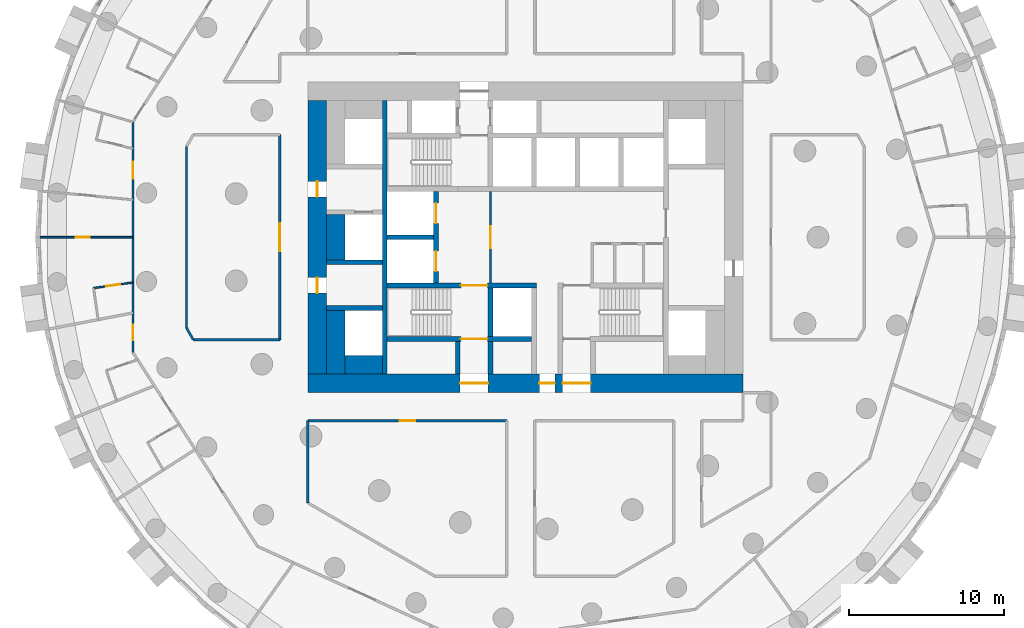
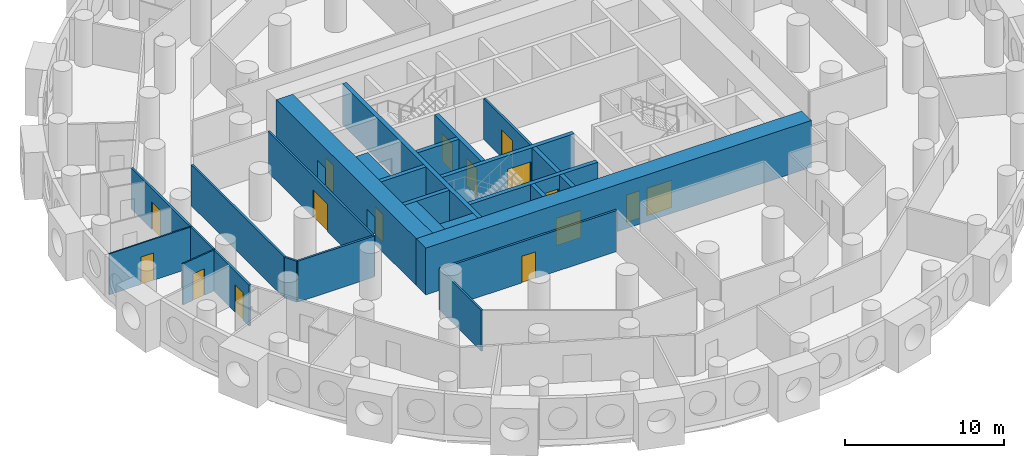
# One storey, part 4 of 12: 25 walls, 16 doors, 16 openings.
"""IFC4 building model written with IfcOpenShell, lengths in metres."""

import ifcopenshell
import ifcopenshell.guid

model = None  # the IFC model being written
_history = None  # IfcOwnerHistory: only IFC2X3 demands one
_inside = {}  # id of a spatial element -> (the spatial element, [elements in it])
_under = {}  # id of a project, library or spatial element -> (it, [spatial elements below it])
_declared = {}  # id of a project -> (the project, [libraries it declares])
_typed = {}  # id of a type object -> (the type object, [elements of that type])
_made_of = {}  # id of a material, layer set ... -> (it, [elements and type objects made of it])


def new_model(schema):
    """Start an empty IFC model of exactly this schema.

    Asked for "IFC4X3", IfcOpenShell would pick the latest addendum, in which some entities
    have other attributes; the version numbers below select the first issue.
    IFC2X3 requires an IfcOwnerHistory on every rooted entity: one is made here for all.
    """
    global model, _history
    if schema == "IFC4X3":
        model = ifcopenshell.file(schema_version=(4, 3, 0, 0))
    else:
        model = ifcopenshell.file(schema=schema)
    _inside.clear()
    _under.clear()
    _declared.clear()
    _typed.clear()
    _made_of.clear()
    _history = None
    if model.schema == "IFC2X3":
        org = make("IfcOrganization", Name="unknown")
        user = make(
            "IfcPersonAndOrganization",
            ThePerson=make("IfcPerson", FamilyName="unknown"),
            TheOrganization=org,
        )
        app = make(
            "IfcApplication",
            ApplicationDeveloper=org,
            Version="unknown",
            ApplicationFullName="unknown",
            ApplicationIdentifier="unknown",
        )
        _history = make(
            "IfcOwnerHistory",
            OwningUser=user,
            OwningApplication=app,
            ChangeAction="ADDED",
            CreationDate=0,
        )
    return model


def make(cls, **values):
    """One entity of the class cls with the attributes given. An attribute that is None is left unset."""
    return model.create_entity(
        cls, **{name: value for name, value in values.items() if value is not None}
    )


def rooted(cls, **values):
    """An entity with a GlobalId (a new one), such as an element, a storey or a relation."""
    return make(cls, GlobalId=ifcopenshell.guid.new(), OwnerHistory=_history, **values)


def si_unit(unit_type, name, prefix=None):
    """IfcSIUnit, for example si_unit("LENGTHUNIT", "METRE", prefix="MILLI")."""
    return make("IfcSIUnit", UnitType=unit_type, Prefix=prefix, Name=name)


def assignment(units):
    """IfcUnitAssignment: the units of a project."""
    return None if units is None else make("IfcUnitAssignment", Units=units)


def point(xyz):
    """IfcCartesianPoint."""
    return None if xyz is None else make("IfcCartesianPoint", Coordinates=xyz)


def direction(xyz):
    """IfcDirection."""
    return None if xyz is None else make("IfcDirection", DirectionRatios=xyz)


def frame(location, z_axis=None, x_axis=None):
    """IfcAxis2Placement3D, a coordinate frame: its origin and axes. An axis left out is left unset."""
    return make(
        "IfcAxis2Placement3D",
        Location=point(location),
        Axis=direction(z_axis),
        RefDirection=direction(x_axis),
    )


def frame_2d(location, x_axis=None):
    """IfcAxis2Placement2D, a coordinate frame in the plane: its origin and x axis."""
    return make(
        "IfcAxis2Placement2D", Location=point(location), RefDirection=direction(x_axis)
    )


def origin():
    """The frame at (0, 0, 0) with its axes left unset."""
    return frame((0.0, 0.0, 0.0))


def place(relative_to, where):
    """IfcLocalPlacement: puts the frame where relative to a parent placement (None: the world)."""
    return make(
        "IfcLocalPlacement", PlacementRelTo=relative_to, RelativePlacement=where
    )


def context(
    kind, dimensions, precision=None, world=None, true_north=None, identifier=None
):
    """IfcGeometricRepresentationContext, for example the 3D "Model" context."""
    return make(
        "IfcGeometricRepresentationContext",
        ContextIdentifier=identifier,
        ContextType=kind,
        CoordinateSpaceDimension=dimensions,
        Precision=precision,
        WorldCoordinateSystem=world,
        TrueNorth=true_north,
    )


def subcontext(parent, identifier, kind, view, scale=None):
    """IfcGeometricRepresentationSubContext, for example "Body" below "Model"."""
    return make(
        "IfcGeometricRepresentationSubContext",
        ContextIdentifier=identifier,
        ContextType=kind,
        ParentContext=parent,
        TargetScale=scale,
        TargetView=view,
    )


def project(units=None, contexts=None):
    """IfcProject with its units and contexts."""
    return rooted(
        "IfcProject",
        Name="project",
        RepresentationContexts=contexts,
        UnitsInContext=assignment(units),
    )


def spatial(cls, under=None, at=None, **own):
    """A site, building, storey or space (cls), placed at a placement, below another one or the project."""
    s = rooted(cls, ObjectPlacement=at, **own)
    if under is not None:
        _under.setdefault(under.id(), (under, []))[1].append(s)
    return s


def profile(cls, at=None, kind="AREA", **sizes):
    """A parametric profile (cls). Its sizes go by their IFC names, for example OverallWidth=200.0."""
    return make(cls, ProfileType=kind, Position=at, **sizes)


def rectangle(**sizes):
    """IfcRectangleProfileDef."""
    return profile("IfcRectangleProfileDef", **sizes)


def extrude(swept, where, along, depth):
    """IfcExtrudedAreaSolid: the profile swept, set in the frame where, extruded along a direction by depth."""
    return make(
        "IfcExtrudedAreaSolid",
        SweptArea=swept,
        Position=where,
        ExtrudedDirection=direction(along),
        Depth=depth,
    )


def shape(context_of_items, identifier, shape_type, items):
    """IfcShapeRepresentation: the items that make up one representation, for example the "Body"."""
    return make(
        "IfcShapeRepresentation",
        ContextOfItems=context_of_items,
        RepresentationIdentifier=identifier,
        RepresentationType=shape_type,
        Items=items,
    )


def material(Name=None, Category=None):
    """IfcMaterial."""
    return make("IfcMaterial", Name=Name, Category=Category)


def layer(
    of_material, thickness, ventilated=None, Name=None, Category=None, Priority=None
):
    """IfcMaterialLayer: one layer of a wall or slab, of a material (None: an air gap)."""
    return make(
        "IfcMaterialLayer",
        Material=of_material,
        LayerThickness=thickness,
        IsVentilated=ventilated,
        Name=Name,
        Category=Category,
        Priority=Priority,
    )


def layer_set(layers, Name=None):
    """IfcMaterialLayerSet."""
    return make("IfcMaterialLayerSet", MaterialLayers=layers, LayerSetName=Name)


def made_of(thing, what):
    """Note that an element or type object is made of a material, layer set ...; save() writes the relation."""
    if what is not None:
        _made_of.setdefault(what.id(), (what, []))[1].append(thing)
    return thing


def type_object(cls, material=None, **own):
    """A type object (cls), such as IfcWallType, which elements share."""
    return made_of(rooted(cls, **own), material)


def element(
    cls,
    number,
    at=None,
    inside=None,
    cuts=None,
    type_object=None,
    material=None,
    context=None,
    identifier="Body",
    shape_type=None,
    held_by="IfcProductDefinitionShape",
    body=None,
    shapes=None,
    **own,
):
    """One element of the class cls, such as IfcWall. Its Tag is "e" and its number.

    at: its placement. inside: the storey or other place that contains it. cuts: it is an
    opening in that element (IfcRelVoidsElement). A single representation is given by context,
    identifier, shape_type and body (its items); several are given by shapes. held_by: the class
    of the entity that holds the representations. save() writes the other relations.
    """
    e = rooted(cls, Tag="e%d" % number, ObjectPlacement=at, **own)
    if body is not None:
        shapes = [shape(context, identifier, shape_type, body)]
    if shapes is not None:
        e.Representation = make(held_by, Representations=shapes)
    if inside is not None:
        _inside.setdefault(inside.id(), (inside, []))[1].append(e)
    if cuts is not None:
        rooted(
            "IfcRelVoidsElement", RelatingBuildingElement=cuts, RelatedOpeningElement=e
        )
    if type_object is not None:
        _typed.setdefault(type_object.id(), (type_object, []))[1].append(e)
    return made_of(e, material)


def fill(opening, filler):
    """IfcRelFillsElement: the door or window that sits in an opening."""
    return rooted(
        "IfcRelFillsElement",
        RelatingOpeningElement=opening,
        RelatedBuildingElement=filler,
    )


def aggregate(whole, parts):
    """IfcRelAggregates: a whole, such as a stair, and the parts it consists of."""
    return rooted("IfcRelAggregates", RelatingObject=whole, RelatedObjects=parts)


def save(model, path):
    """Write the relations noted so far, then the file.

    IfcRelAggregates (storeys below a building ...), IfcRelContainedInSpatialStructure (elements
    in a storey), IfcRelDefinesByType, IfcRelAssociatesMaterial and IfcRelDeclares: one each for
    every whole, place, type object, material and project.
    """
    for whole, parts in _under.values():
        aggregate(whole, parts)
    for where, things in _inside.values():
        rooted(
            "IfcRelContainedInSpatialStructure",
            RelatedElements=things,
            RelatingStructure=where,
        )
    for kind, things in _typed.values():
        rooted("IfcRelDefinesByType", RelatedObjects=things, RelatingType=kind)
    for what, things in _made_of.values():
        rooted("IfcRelAssociatesMaterial", RelatedObjects=things, RelatingMaterial=what)
    for by, libraries in _declared.values():
        rooted("IfcRelDeclares", RelatingContext=by, RelatedDefinitions=libraries)
    model.write(path)


model = new_model("IFC4")

# Units and contexts
model_context = context("Model", 3, precision=1e-05, world=origin(), true_north=direction((0.0, 1.0)))
body_context = subcontext(model_context, "Body", "Model", "MODEL_VIEW")
ifc_project = project(units=[si_unit("LENGTHUNIT", "METRE"), si_unit("AREAUNIT", "SQUARE_METRE"), si_unit("VOLUMEUNIT", "CUBIC_METRE"), si_unit("PLANEANGLEUNIT", "RADIAN"), si_unit("MASSUNIT", "GRAM", prefix="KILO")], contexts=[model_context])

# Site, building, storey
site_placement = place(None, origin())
site = spatial("IfcSite", under=ifc_project, at=site_placement, CompositionType="ELEMENT")
building_placement = place(site_placement, origin())
building = spatial("IfcBuilding", under=site, at=building_placement, Name="Tracery Tower", CompositionType="ELEMENT")
storey_placement = place(building_placement, frame((0.0, 0.0, 107.39990234375)))
storey = spatial("IfcBuildingStorey", under=building, at=storey_placement, Name="L27", CompositionType="ELEMENT", Elevation=107.39990234375)

# Wall, opening, door
ifc_material_1 = material(Name="Plasterboard on steel studs", Category="steel")
ifc_layer_1 = layer(ifc_material_1, 0.14990234375)
ifc_layer_set_1 = layer_set([ifc_layer_1], Name="Core lobby partition 150")
wall_type_1 = type_object("IfcWallType", Name="Core lobby partition 150", PredefinedType="SOLIDWALL", material=ifc_layer_set_1)
wall_1_placement = place(storey_placement, frame((-2.25, -2.949951171875, 0.0), z_axis=(0.0, 0.0, 1.0), x_axis=(0.0, 1.0, 0.0)))
wall_1 = element("IfcWall", 1, at=wall_1_placement, inside=storey, type_object=wall_type_1, Name="L27 FF lobby E", PredefinedType="SOLIDWALL", context=body_context, shape_type="SweptSolid", body=[
    extrude(rectangle(XDim=5.89990234375, YDim=0.14990234375, at=frame_2d((2.949951171875, 0.0))), origin(), (0.0, 0.0, 1.0), 3.150146484375),
])
opening_1_placement = place(wall_1_placement, frame((2.25, 0.0, 0.0)))
opening_1 = element("IfcOpeningElement", 2, at=opening_1_placement, cuts=wall_1, Name="Opening KD8", PredefinedType="OPENING", context=body_context, shape_type="SweptSolid", body=[
    extrude(rectangle(XDim=1.39990234375, YDim=2.10009765625, at=frame_2d((0.699951171875, 1.050048828125))), frame((0.0, 0.074951171875, 0.0), z_axis=(0.0, -1.0, 0.0), x_axis=(1.0, 0.0, 0.0)), (0.0, 0.0, 1.0), 0.14990234375),
])
ifc_material_2 = material(Name="Steel fire door", Category="steel")
door_type_1 = type_object("IfcDoorType", Name="Core lobby door 1400 double", OperationType="NOTDEFINED", PredefinedType="DOOR", material=ifc_material_2)
door_1_placement = place(opening_1_placement, origin())
door_1 = element("IfcDoor", 3, at=door_1_placement, inside=storey, type_object=door_type_1, Name="Fire-fighting lobby door", OperationType="DOUBLE_DOOR_SINGLE_SWING", OverallHeight=2.10009765625, OverallWidth=1.39990234375, PredefinedType="DOOR", context=body_context, shape_type="SweptSolid", body=[
    extrude(rectangle(XDim=1.39990234375, YDim=2.10009765625, at=frame_2d((0.699951171875, 1.050048828125))), frame((0.0, 0.02490234375, 0.0), z_axis=(0.0, -1.0, 0.0), x_axis=(1.0, 0.0, 0.0)), (0.0, 0.0, 1.0), 0.050048828125),
])
fill(opening_1, door_1)

# Walls
ifc_material_3 = material(Name="Concrete C60/75", Category="concrete")
ifc_layer_2 = layer(ifc_material_3, 1.199951171875)
ifc_layer_set_2 = layer_set([ifc_layer_2], Name="Core strip wall 1200 C60")
wall_type_2 = type_object("IfcWallType", Name="Core strip wall 1200 C60", PredefinedType="SOLIDWALL", material=ifc_layer_set_2)
wall_2_placement = place(storey_placement, frame((-12.199951171875, -8.800048828125, 0.0), z_axis=(0.0, 0.0, 1.0), x_axis=(0.0, 1.0, 0.0)))
element("IfcWall", 4, at=wall_2_placement, inside=storey, type_object=wall_type_2, Name="L27 wing strip -1 -9.4", PredefinedType="SOLIDWALL", context=body_context, shape_type="SweptSolid", body=[
    extrude(rectangle(XDim=4.10009765625, YDim=1.199951171875, at=frame_2d((2.050048828125, 0.0))), origin(), (0.0, 0.0, 1.0), 3.150146484375),
])
wall_3_placement = place(storey_placement, frame((-12.199951171875, -1.449951171875, 0.0), z_axis=(0.0, 0.0, 1.0), x_axis=(0.0, 1.0, 0.0)))
element("IfcWall", 5, at=wall_3_placement, inside=storey, type_object=wall_type_2, Name="L27 wing strip -1 -1.6", PredefinedType="SOLIDWALL", context=body_context, shape_type="SweptSolid", body=[
    extrude(rectangle(XDim=2.89990234375, YDim=1.199951171875, at=frame_2d((1.449951171875, 0.0))), origin(), (0.0, 0.0, 1.0), 3.150146484375),
])
wall_4_placement = place(storey_placement, frame((-11.60009765625, -8.199951171875, 0.0), z_axis=(0.0, 0.0, 1.0), x_axis=(1.0, 0.0, 0.0)))
element("IfcWall", 6, at=wall_4_placement, inside=storey, type_object=wall_type_2, Name="L27 wing corner -1 -8.2", PredefinedType="SOLIDWALL", context=body_context, shape_type="SweptSolid", body=[
    extrude(rectangle(XDim=2.400146484375, YDim=1.199951171875, at=frame_2d((1.2001953125, 0.0))), origin(), (0.0, 0.0, 1.0), 3.150146484375),
])

# Wall, openings, doors
ifc_material_4 = material(Name="Concrete C60/75", Category="concrete")
ifc_layer_3 = layer(ifc_material_4, 1.199951171875)
ifc_layer_set_3 = layer_set([ifc_layer_3], Name="Core wall 1200 C60")
wall_type_3 = type_object("IfcWallType", Name="Core wall 1200 C60", PredefinedType="SOLIDWALL", material=ifc_layer_set_3)
wall_5_placement = place(storey_placement, frame((-14.0, -9.39990234375, 0.0), z_axis=(0.0, 0.0, 1.0), x_axis=(1.0, 0.0, 0.0)))
wall_5 = element("IfcWall", 7, at=wall_5_placement, inside=storey, type_object=wall_type_3, Name="L27 outer S", PredefinedType="SOLIDWALL", context=body_context, shape_type="SweptSolid", body=[
    extrude(rectangle(XDim=28.0, YDim=1.199951171875, at=frame_2d((14.0, 0.0))), origin(), (0.0, 0.0, 1.0), 3.60009765625),
])
opening_2_placement = place(wall_5_placement, frame((14.89990234375, 0.0, 0.0)))
opening_2 = element("IfcOpeningElement", 8, at=opening_2_placement, cuts=wall_5, Name="Opening KD16", PredefinedType="OPENING", context=body_context, shape_type="SweptSolid", body=[
    extrude(rectangle(XDim=1.0, YDim=2.10009765625, at=frame_2d((0.5, 1.050048828125))), frame((0.0, 0.60009765625, 0.0), z_axis=(0.0, -1.0, 0.0), x_axis=(1.0, 0.0, 0.0)), (0.0, 0.0, 1.0), 1.199951171875),
])
opening_3_placement = place(wall_5_placement, frame((9.800048828125, 0.0, 0.0)))
opening_3 = element("IfcOpeningElement", 9, at=opening_3_placement, cuts=wall_5, Name="Opening KD13", PredefinedType="OPENING", context=body_context, shape_type="SweptSolid", body=[
    extrude(rectangle(XDim=1.800048828125, YDim=2.10009765625, at=frame_2d((0.89990234375, 1.050048828125))), frame((0.0, 0.60009765625, 0.0), z_axis=(0.0, -1.0, 0.0), x_axis=(1.0, 0.0, 0.0)), (0.0, 0.0, 1.0), 1.199951171875),
])
opening_4_placement = place(wall_5_placement, frame((16.39990234375, 0.0, 0.0)))
opening_4 = element("IfcOpeningElement", 10, at=opening_4_placement, cuts=wall_5, Name="Opening KD13", PredefinedType="OPENING", context=body_context, shape_type="SweptSolid", body=[
    extrude(rectangle(XDim=1.800048828125, YDim=2.10009765625, at=frame_2d((0.89990234375, 1.050048828125))), frame((0.0, 0.60009765625, 0.0), z_axis=(0.0, -1.0, 0.0), x_axis=(1.0, 0.0, 0.0)), (0.0, 0.0, 1.0), 1.199951171875),
])
ifc_material_5 = material(Name="Steel fire door", Category="steel")
door_type_2 = type_object("IfcDoorType", Name="Core exit door 1000", OperationType="NOTDEFINED", PredefinedType="DOOR", material=ifc_material_5)
door_2_placement = place(opening_2_placement, origin())
door_2 = element("IfcDoor", 11, at=door_2_placement, inside=storey, type_object=door_type_2, Name="Core exit door", OperationType="SINGLE_SWING_LEFT", OverallHeight=2.10009765625, OverallWidth=1.0, PredefinedType="DOOR", context=body_context, shape_type="SweptSolid", body=[
    extrude(rectangle(XDim=1.0, YDim=2.10009765625, at=frame_2d((0.5, 1.050048828125))), frame((0.0, 0.02490234375, 0.0), z_axis=(0.0, -1.0, 0.0), x_axis=(1.0, 0.0, 0.0)), (0.0, 0.0, 1.0), 0.050048828125),
])
fill(opening_2, door_2)
ifc_material_6 = material(Name="Steel fire door", Category="steel")
door_type_3 = type_object("IfcDoorType", Name="Core exit door 1800 double", OperationType="NOTDEFINED", PredefinedType="DOOR", material=ifc_material_6)
door_3_placement = place(opening_3_placement, origin())
door_3 = element("IfcDoor", 12, at=door_3_placement, inside=storey, type_object=door_type_3, Name="Core exit door", OperationType="DOUBLE_DOOR_SINGLE_SWING", OverallHeight=2.10009765625, OverallWidth=1.800048828125, PredefinedType="DOOR", context=body_context, shape_type="SweptSolid", body=[
    extrude(rectangle(XDim=1.800048828125, YDim=2.10009765625, at=frame_2d((0.89990234375, 1.050048828125))), frame((0.0, 0.02490234375, 0.0), z_axis=(0.0, -1.0, 0.0), x_axis=(1.0, 0.0, 0.0)), (0.0, 0.0, 1.0), 0.050048828125),
])
fill(opening_3, door_3)
door_4_placement = place(opening_4_placement, origin())
door_4 = element("IfcDoor", 13, at=door_4_placement, inside=storey, type_object=door_type_3, Name="Core exit door", OperationType="DOUBLE_DOOR_SINGLE_SWING", OverallHeight=2.10009765625, OverallWidth=1.800048828125, PredefinedType="DOOR", context=body_context, shape_type="SweptSolid", body=[
    extrude(rectangle(XDim=1.800048828125, YDim=2.10009765625, at=frame_2d((0.89990234375, 1.050048828125))), frame((0.0, 0.02490234375, 0.0), z_axis=(0.0, -1.0, 0.0), x_axis=(1.0, 0.0, 0.0)), (0.0, 0.0, 1.0), 0.050048828125),
])
fill(opening_4, door_4)

wall_6_placement = place(storey_placement, frame((-13.39990234375, -8.800048828125, 0.0), z_axis=(0.0, 0.0, 1.0), x_axis=(0.0, 1.0, 0.0)))
wall_6 = element("IfcWall", 14, at=wall_6_placement, inside=storey, type_object=wall_type_3, Name="L27 outer W", PredefinedType="SOLIDWALL", context=body_context, shape_type="SweptSolid", body=[
    extrude(rectangle(XDim=17.60009765625, YDim=1.199951171875, at=frame_2d((8.800048828125, 0.0))), origin(), (0.0, 0.0, 1.0), 3.60009765625),
])
opening_5_placement = place(wall_6_placement, frame((5.199951171875, 0.0, 0.0)))
opening_5 = element("IfcOpeningElement", 15, at=opening_5_placement, cuts=wall_6, Name="Opening KD18", PredefinedType="OPENING", context=body_context, shape_type="SweptSolid", body=[
    extrude(rectangle(XDim=1.0, YDim=2.10009765625, at=frame_2d((0.5, 1.050048828125))), frame((0.0, 0.60009765625, 0.0), z_axis=(0.0, -1.0, 0.0), x_axis=(1.0, 0.0, 0.0)), (0.0, 0.0, 1.0), 1.199951171875),
])
opening_6_placement = place(wall_6_placement, frame((11.39990234375, 0.0, 0.0)))
opening_6 = element("IfcOpeningElement", 16, at=opening_6_placement, cuts=wall_6, Name="Opening KD18", PredefinedType="OPENING", context=body_context, shape_type="SweptSolid", body=[
    extrude(rectangle(XDim=1.0, YDim=2.10009765625, at=frame_2d((0.5, 1.050048828125))), frame((0.0, 0.60009765625, 0.0), z_axis=(0.0, -1.0, 0.0), x_axis=(1.0, 0.0, 0.0)), (0.0, 0.0, 1.0), 1.199951171875),
])
door_5_placement = place(opening_5_placement, origin())
door_5 = element("IfcDoor", 17, at=door_5_placement, inside=storey, type_object=door_type_2, Name="Core exit door", OperationType="DOUBLE_DOOR_SINGLE_SWING", OverallHeight=2.10009765625, OverallWidth=1.0, PredefinedType="DOOR", context=body_context, shape_type="SweptSolid", body=[
    extrude(rectangle(XDim=1.0, YDim=2.10009765625, at=frame_2d((0.5, 1.050048828125))), frame((0.0, 0.02490234375, 0.0), z_axis=(0.0, -1.0, 0.0), x_axis=(1.0, 0.0, 0.0)), (0.0, 0.0, 1.0), 0.050048828125),
])
fill(opening_5, door_5)
door_6_placement = place(opening_6_placement, origin())
door_6 = element("IfcDoor", 18, at=door_6_placement, inside=storey, type_object=door_type_2, Name="Core exit door", OperationType="DOUBLE_DOOR_SINGLE_SWING", OverallHeight=2.10009765625, OverallWidth=1.0, PredefinedType="DOOR", context=body_context, shape_type="SweptSolid", body=[
    extrude(rectangle(XDim=1.0, YDim=2.10009765625, at=frame_2d((0.5, 1.050048828125))), frame((0.0, 0.02490234375, 0.0), z_axis=(0.0, -1.0, 0.0), x_axis=(1.0, 0.0, 0.0)), (0.0, 0.0, 1.0), 0.050048828125),
])
fill(opening_6, door_6)

# Wall, opening, door
ifc_material_7 = material(Name="Plasterboard on steel studs", Category="steel")
ifc_layer_4 = layer(ifc_material_7, 0.10009765625)
ifc_layer_set_4 = layer_set([ifc_layer_4], Name="Partition 100 stud")
wall_type_4 = type_object("IfcWallType", Name="Partition 100 stud", PredefinedType="PARTITIONING", material=ifc_layer_set_4)
wall_7_placement = place(storey_placement, frame((-31.22412109375, 0.0, 0.0), z_axis=(0.0, 0.0, 1.0), x_axis=(1.0, 0.0, 0.0)))
wall_7 = element("IfcWall", 19, at=wall_7_placement, inside=storey, type_object=wall_type_4, Name="Stud partition RA8-099", PredefinedType="PARTITIONING", context=body_context, shape_type="SweptSolid", body=[
    extrude(rectangle(XDim=5.97119140625, YDim=0.10009765625, at=frame_2d((2.985595703125, 0.0))), origin(), (0.0, 0.0, 1.0), 3.150146484375),
])
opening_7_placement = place(wall_7_placement, frame((2.302001953125, 0.0, 0.0)))
opening_7 = element("IfcOpeningElement", 20, at=opening_7_placement, cuts=wall_7, Name="Opening RA8-38", PredefinedType="OPENING", context=body_context, shape_type="SweptSolid", body=[
    extrude(rectangle(XDim=0.89990234375, YDim=2.10009765625, at=frame_2d((0.449951171875, 1.050048828125))), frame((0.0, 0.050048828125, 0.0), z_axis=(0.0, -1.0, 0.0), x_axis=(1.0, 0.0, 0.0)), (0.0, 0.0, 1.0), 0.10009765625),
])
ifc_material_8 = material(Name="Timber door leaf", Category="wood")
door_type_4 = type_object("IfcDoorType", Name="Door bedroom 900", OperationType="NOTDEFINED", PredefinedType="DOOR", material=ifc_material_8)
door_7_placement = place(opening_7_placement, origin())
door_7 = element("IfcDoor", 21, at=door_7_placement, inside=storey, type_object=door_type_4, Name="Bedroom door RA8-38", OperationType="SINGLE_SWING_RIGHT", OverallHeight=2.10009765625, OverallWidth=0.89990234375, PredefinedType="DOOR", context=body_context, shape_type="SweptSolid", body=[
    extrude(rectangle(XDim=0.89990234375, YDim=2.10009765625, at=frame_2d((0.449951171875, 1.050048828125))), frame((0.0, 0.02490234375, 0.0), z_axis=(0.0, -1.0, 0.0), x_axis=(1.0, 0.0, 0.0)), (0.0, 0.0, 1.0), 0.050048828125),
])
fill(opening_7, door_7)

ifc_material_9 = material(Name="Plasterboard on steel studs", Category="steel")
ifc_layer_5 = layer(ifc_material_9, 0.10009765625)
ifc_layer_set_5 = layer_set([ifc_layer_5], Name="Partition 100 wet wall")
wall_type_5 = type_object("IfcWallType", Name="Partition 100 wet wall", PredefinedType="PARTITIONING", material=ifc_layer_set_5)
wall_8_placement = place(storey_placement, frame((-27.784912109375, -3.27294921875, 0.0), z_axis=(0.0, 0.0, 1.0), x_axis=(0.989823118164, 0.142303178978, 0.0)))
wall_8 = element("IfcWall", 22, at=wall_8_placement, inside=storey, type_object=wall_type_5, Name="Wet wall RA8-103", PredefinedType="PARTITIONING", context=body_context, shape_type="SweptSolid", body=[
    extrude(rectangle(XDim=2.55810546875, YDim=0.10009765625, at=frame_2d((1.279052734375, 0.0))), origin(), (0.0, 0.0, 1.0), 3.150146484375),
])
opening_8_placement = place(wall_8_placement, frame((0.8291015625, 0.0, 0.0)))
opening_8 = element("IfcOpeningElement", 23, at=opening_8_placement, cuts=wall_8, Name="Opening RA8-39", PredefinedType="OPENING", context=body_context, shape_type="SweptSolid", body=[
    extrude(rectangle(XDim=0.89990234375, YDim=2.0400390625, at=frame_2d((0.449951171875, 1.02001953125))), frame((0.0, 0.050048828125, 0.0), z_axis=(0.0, -1.0, 0.0), x_axis=(1.0, 0.0, 0.0)), (0.0, 0.0, 1.0), 0.10009765625),
])
ifc_material_10 = material(Name="Timber door leaf", Category="wood")
door_type_5 = type_object("IfcDoorType", Name="Door en-suite 900", OperationType="NOTDEFINED", PredefinedType="DOOR", material=ifc_material_10)
door_8_placement = place(opening_8_placement, origin())
door_8 = element("IfcDoor", 24, at=door_8_placement, inside=storey, type_object=door_type_5, Name="En-suite door RA8-39", OperationType="SINGLE_SWING_LEFT", OverallHeight=2.0400390625, OverallWidth=0.89990234375, PredefinedType="DOOR", context=body_context, shape_type="SweptSolid", body=[
    extrude(rectangle(XDim=0.89990234375, YDim=2.0400390625, at=frame_2d((0.449951171875, 1.02001953125))), frame((0.0, 0.02490234375, 0.0), z_axis=(0.0, -1.0, 0.0), x_axis=(1.0, 0.0, 0.0)), (0.0, 0.0, 1.0), 0.050048828125),
])
fill(opening_8, door_8)

ifc_material_11 = material(Name="Plasterboard on steel studs", Category="steel")
ifc_layer_6 = layer(ifc_material_11, 0.14990234375)
ifc_layer_set_6 = layer_set([ifc_layer_6], Name="Partition 150 corridor wall")
wall_type_6 = type_object("IfcWallType", Name="Partition 150 corridor wall", PredefinedType="PARTITIONING", material=ifc_layer_set_6)
wall_9_placement = place(storey_placement, frame((-14.00390625, -11.800048828125, 0.0), z_axis=(0.0, 0.0, 1.0), x_axis=(1.0, 0.0, 0.0)))
wall_9 = element("IfcWall", 25, at=wall_9_placement, inside=storey, type_object=wall_type_6, Name="Corridor wall RA8-006", PredefinedType="PARTITIONING", context=body_context, shape_type="SweptSolid", body=[
    extrude(rectangle(XDim=12.81591796875, YDim=0.14990234375, at=frame_2d((6.407958984375, 0.0))), origin(), (0.0, 0.0, 1.0), 3.150146484375),
])
opening_9_placement = place(wall_9_placement, frame((5.907958984375, 0.0, 0.0)))
opening_9 = element("IfcOpeningElement", 26, at=opening_9_placement, cuts=wall_9, Name="Opening RA8-04", PredefinedType="OPENING", context=body_context, shape_type="SweptSolid", body=[
    extrude(rectangle(XDim=1.0, YDim=2.0400390625, at=frame_2d((0.5, 1.02001953125))), frame((0.0, 0.074951171875, 0.0), z_axis=(0.0, -1.0, 0.0), x_axis=(1.0, 0.0, 0.0)), (0.0, 0.0, 1.0), 0.14990234375),
])
ifc_material_12 = material(Name="Timber door leaf", Category="wood")
door_type_6 = type_object("IfcDoorType", Name="Door communal room 1000", OperationType="NOTDEFINED", PredefinedType="DOOR", material=ifc_material_12)
door_9_placement = place(opening_9_placement, origin())
door_9 = element("IfcDoor", 27, at=door_9_placement, inside=storey, type_object=door_type_6, Name="Communal room door RA8-04", OperationType="SINGLE_SWING_RIGHT", OverallHeight=2.0400390625, OverallWidth=1.0, PredefinedType="DOOR", context=body_context, shape_type="SweptSolid", body=[
    extrude(rectangle(XDim=1.0, YDim=2.0400390625, at=frame_2d((0.5, 1.02001953125))), frame((0.0, 0.02490234375, 0.0), z_axis=(0.0, -1.0, 0.0), x_axis=(1.0, 0.0, 0.0)), (0.0, 0.0, 1.0), 0.050048828125),
])
fill(opening_9, door_9)

wall_10_placement = place(storey_placement, frame((-15.800048828125, -6.60400390625, 0.0), z_axis=(0.0, 0.0, 1.0), x_axis=(0.0, 1.0, 0.0)))
wall_10 = element("IfcWall", 28, at=wall_10_placement, inside=storey, type_object=wall_type_6, Name="Corridor wall RA8-013", PredefinedType="PARTITIONING", context=body_context, shape_type="SweptSolid", body=[
    extrude(rectangle(XDim=13.2080078125, YDim=0.14990234375, at=frame_2d((6.60400390625, 0.0))), origin(), (0.0, 0.0, 1.0), 3.150146484375),
])
opening_10_placement = place(wall_10_placement, frame((5.7041015625, 0.0, 0.0)))
opening_10 = element("IfcOpeningElement", 29, at=opening_10_placement, cuts=wall_10, Name="Opening RA8-08", PredefinedType="OPENING", context=body_context, shape_type="SweptSolid", body=[
    extrude(rectangle(XDim=1.800048828125, YDim=2.10009765625, at=frame_2d((0.89990234375, 1.050048828125))), frame((0.0, 0.074951171875, 0.0), z_axis=(0.0, -1.0, 0.0), x_axis=(1.0, 0.0, 0.0)), (0.0, 0.0, 1.0), 0.14990234375),
])
ifc_material_13 = material(Name="Timber door leaf", Category="wood")
door_type_7 = type_object("IfcDoorType", Name="Door double lounge 1800", OperationType="NOTDEFINED", PredefinedType="DOOR", material=ifc_material_13)
door_10_placement = place(opening_10_placement, origin())
door_10 = element("IfcDoor", 30, at=door_10_placement, inside=storey, type_object=door_type_7, Name="Double lounge door RA8-08", OperationType="DOUBLE_DOOR_SINGLE_SWING", OverallHeight=2.10009765625, OverallWidth=1.800048828125, PredefinedType="DOOR", context=body_context, shape_type="SweptSolid", body=[
    extrude(rectangle(XDim=1.800048828125, YDim=2.10009765625, at=frame_2d((0.89990234375, 1.050048828125))), frame((0.0, 0.02490234375, 0.0), z_axis=(0.0, -1.0, 0.0), x_axis=(1.0, 0.0, 0.0)), (0.0, 0.0, 1.0), 0.050048828125),
])
fill(opening_10, door_10)

# Walls
wall_11_placement = place(storey_placement, frame((-14.0, -17.092041015625, 0.0), z_axis=(0.0, 0.0, 1.0), x_axis=(0.0, 1.0, 0.0)))
element("IfcWall", 31, at=wall_11_placement, inside=storey, type_object=wall_type_6, Name="Corridor wall RA8-037", PredefinedType="PARTITIONING", context=body_context, shape_type="SweptSolid", body=[
    extrude(rectangle(XDim=5.2919921875, YDim=0.14990234375, at=frame_2d((2.64599609375, 0.0))), origin(), (0.0, 0.0, 1.0), 3.150146484375),
])
wall_12_placement = place(storey_placement, frame((-21.802001953125, -5.842041015625, 0.0), z_axis=(0.0, 0.0, 1.0), x_axis=(0.0, 1.0, 0.0)))
element("IfcWall", 32, at=wall_12_placement, inside=storey, type_object=wall_type_6, Name="Corridor wall RA8-040", PredefinedType="PARTITIONING", context=body_context, shape_type="SweptSolid", body=[
    extrude(rectangle(XDim=11.68408203125, YDim=0.14990234375, at=frame_2d((5.842041015625, 0.0))), origin(), (0.0, 0.0, 1.0), 3.150146484375),
])
wall_13_placement = place(storey_placement, frame((-21.802001953125, -5.842041015625, 0.0), z_axis=(0.0, 0.0, 1.0), x_axis=(0.500277597875, -0.865865073245, 0.0)))
element("IfcWall", 33, at=wall_13_placement, inside=storey, type_object=wall_type_6, Name="Corridor wall RA8-041", PredefinedType="PARTITIONING", context=body_context, shape_type="SweptSolid", body=[
    extrude(rectangle(XDim=0.87548828125, YDim=0.14990234375, at=frame_2d((0.437744140625, 0.0))), origin(), (0.0, 0.0, 1.0), 3.150146484375),
])
wall_14_placement = place(storey_placement, frame((-21.364013671875, -6.60009765625, 0.0), z_axis=(0.0, 0.0, 1.0), x_axis=(1.0, 0.0, 0.0)))
element("IfcWall", 34, at=wall_14_placement, inside=storey, type_object=wall_type_6, Name="Corridor wall RA8-042", PredefinedType="PARTITIONING", context=body_context, shape_type="SweptSolid", body=[
    extrude(rectangle(XDim=5.56396484375, YDim=0.14990234375, at=frame_2d((2.781982421875, 0.0))), origin(), (0.0, 0.0, 1.0), 3.150146484375),
])

# Wall, openings, doors
wall_15_placement = place(storey_placement, frame((-25.2529296875, -7.4150390625, 0.0), z_axis=(0.0, 0.0, 1.0), x_axis=(0.0, 1.0, 0.0)))
wall_15 = element("IfcWall", 35, at=wall_15_placement, inside=storey, type_object=wall_type_6, Name="Corridor wall RA8-045", PredefinedType="PARTITIONING", context=body_context, shape_type="SweptSolid", body=[
    extrude(rectangle(XDim=14.830078125, YDim=0.14990234375, at=frame_2d((7.4150390625, 0.0))), origin(), (0.0, 0.0, 1.0), 3.150146484375),
])
opening_11_placement = place(wall_15_placement, frame((11.169921875, 0.0, 0.0)))
opening_11 = element("IfcOpeningElement", 36, at=opening_11_placement, cuts=wall_15, Name="Opening RA8-33", PredefinedType="OPENING", context=body_context, shape_type="SweptSolid", body=[
    extrude(rectangle(XDim=1.10009765625, YDim=2.10009765625, at=frame_2d((0.550048828125, 1.050048828125))), frame((0.0, 0.074951171875, 0.0), z_axis=(0.0, -1.0, 0.0), x_axis=(1.0, 0.0, 0.0)), (0.0, 0.0, 1.0), 0.14990234375),
])
opening_12_placement = place(wall_15_placement, frame((0.77587890625, 0.0, 0.0)))
opening_12 = element("IfcOpeningElement", 37, at=opening_12_placement, cuts=wall_15, Name="Opening RA8-41", PredefinedType="OPENING", context=body_context, shape_type="SweptSolid", body=[
    extrude(rectangle(XDim=1.0, YDim=2.10009765625, at=frame_2d((0.5, 1.050048828125))), frame((0.0, 0.074951171875, 0.0), z_axis=(0.0, -1.0, 0.0), x_axis=(1.0, 0.0, 0.0)), (0.0, 0.0, 1.0), 0.14990234375),
])
ifc_material_14 = material(Name="Timber door leaf", Category="wood")
door_type_8 = type_object("IfcDoorType", Name="Door cluster entrance 1100", OperationType="NOTDEFINED", PredefinedType="DOOR", material=ifc_material_14)
door_11_placement = place(opening_11_placement, origin())
door_11 = element("IfcDoor", 38, at=door_11_placement, inside=storey, type_object=door_type_8, Name="Cluster entrance door RA8-33", OperationType="SINGLE_SWING_RIGHT", OverallHeight=2.10009765625, OverallWidth=1.10009765625, PredefinedType="DOOR", context=body_context, shape_type="SweptSolid", body=[
    extrude(rectangle(XDim=1.10009765625, YDim=2.10009765625, at=frame_2d((0.550048828125, 1.050048828125))), frame((0.0, 0.02490234375, 0.0), z_axis=(0.0, -1.0, 0.0), x_axis=(1.0, 0.0, 0.0)), (0.0, 0.0, 1.0), 0.050048828125),
])
fill(opening_11, door_11)
ifc_material_15 = material(Name="Timber door leaf", Category="wood")
door_type_9 = type_object("IfcDoorType", Name="Door unit entrance 1000", OperationType="NOTDEFINED", PredefinedType="DOOR", material=ifc_material_15)
door_12_placement = place(opening_12_placement, origin())
door_12 = element("IfcDoor", 39, at=door_12_placement, inside=storey, type_object=door_type_9, Name="Unit entrance door RA8-41", OperationType="SINGLE_SWING_RIGHT", OverallHeight=2.10009765625, OverallWidth=1.0, PredefinedType="DOOR", context=body_context, shape_type="SweptSolid", body=[
    extrude(rectangle(XDim=1.0, YDim=2.10009765625, at=frame_2d((0.5, 1.050048828125))), frame((0.0, 0.02490234375, 0.0), z_axis=(0.0, -1.0, 0.0), x_axis=(1.0, 0.0, 0.0)), (0.0, 0.0, 1.0), 0.050048828125),
])
fill(opening_12, door_12)

# Wall
ifc_material_16 = material(Name="Concrete C60/75", Category="concrete")
ifc_layer_7 = layer(ifc_material_16, 0.300048828125)
ifc_layer_set_7 = layer_set([ifc_layer_7], Name="Shaft wall 300 C60")
wall_type_7 = type_object("IfcWallType", Name="Shaft wall 300 C60", PredefinedType="SOLIDWALL", material=ifc_layer_set_7)
wall_16_placement = place(storey_placement, frame((-8.89990234375, 0.0, 0.0), z_axis=(0.0, 0.0, 1.0), x_axis=(1.0, 0.0, 0.0)))
element("IfcWall", 40, at=wall_16_placement, inside=storey, type_object=wall_type_7, Name="L27 FF split", PredefinedType="SOLIDWALL", context=body_context, shape_type="SweptSolid", body=[
    extrude(rectangle(XDim=3.0, YDim=0.300048828125, at=frame_2d((1.5, 0.0))), origin(), (0.0, 0.0, 1.0), 3.150146484375),
])

# Wall, openings, doors
wall_17_placement = place(storey_placement, frame((-5.75, -2.949951171875, 0.0), z_axis=(0.0, 0.0, 1.0), x_axis=(0.0, 1.0, 0.0)))
wall_17 = element("IfcWall", 41, at=wall_17_placement, inside=storey, type_object=wall_type_7, Name="L27 FF doors", PredefinedType="SOLIDWALL", context=body_context, shape_type="SweptSolid", body=[
    extrude(rectangle(XDim=5.89990234375, YDim=0.300048828125, at=frame_2d((2.949951171875, 0.0))), origin(), (0.0, 0.0, 1.0), 3.150146484375),
])
opening_13_placement = place(wall_17_placement, frame((0.75, 0.0, 0.0)))
opening_13 = element("IfcOpeningElement", 42, at=opening_13_placement, cuts=wall_17, Name="Opening KD54", PredefinedType="OPENING", context=body_context, shape_type="SweptSolid", body=[
    extrude(rectangle(XDim=1.300048828125, YDim=2.10009765625, at=frame_2d((0.64990234375, 1.050048828125))), frame((0.0, 0.14990234375, 0.0), z_axis=(0.0, -1.0, 0.0), x_axis=(1.0, 0.0, 0.0)), (0.0, 0.0, 1.0), 0.300048828125),
])
opening_14_placement = place(wall_17_placement, frame((3.85009765625, 0.0, 0.0)))
opening_14 = element("IfcOpeningElement", 43, at=opening_14_placement, cuts=wall_17, Name="Opening KD55", PredefinedType="OPENING", context=body_context, shape_type="SweptSolid", body=[
    extrude(rectangle(XDim=1.300048828125, YDim=2.10009765625, at=frame_2d((0.64990234375, 1.050048828125))), frame((0.0, 0.14990234375, 0.0), z_axis=(0.0, -1.0, 0.0), x_axis=(1.0, 0.0, 0.0)), (0.0, 0.0, 1.0), 0.300048828125),
])
ifc_material_17 = material(Name="Steel fire door", Category="steel")
door_type_10 = type_object("IfcDoorType", Name="Landing door FF 1300", OperationType="NOTDEFINED", PredefinedType="DOOR", material=ifc_material_17)
door_13_placement = place(opening_13_placement, origin())
door_13 = element("IfcDoor", 44, at=door_13_placement, inside=storey, type_object=door_type_10, Name="Landing door FF1", OperationType="SLIDING_TO_LEFT", OverallHeight=2.10009765625, OverallWidth=1.300048828125, PredefinedType="DOOR", context=body_context, shape_type="SweptSolid", body=[
    extrude(rectangle(XDim=1.300048828125, YDim=2.10009765625, at=frame_2d((0.64990234375, 1.050048828125))), frame((0.0, 0.02490234375, 0.0), z_axis=(0.0, -1.0, 0.0), x_axis=(1.0, 0.0, 0.0)), (0.0, 0.0, 1.0), 0.050048828125),
])
fill(opening_13, door_13)
door_14_placement = place(opening_14_placement, origin())
door_14 = element("IfcDoor", 45, at=door_14_placement, inside=storey, type_object=door_type_10, Name="Landing door FF2", OperationType="SLIDING_TO_RIGHT", OverallHeight=2.10009765625, OverallWidth=1.300048828125, PredefinedType="DOOR", context=body_context, shape_type="SweptSolid", body=[
    extrude(rectangle(XDim=1.300048828125, YDim=2.10009765625, at=frame_2d((0.64990234375, 1.050048828125))), frame((0.0, 0.02490234375, 0.0), z_axis=(0.0, -1.0, 0.0), x_axis=(1.0, 0.0, 0.0)), (0.0, 0.0, 1.0), 0.050048828125),
])
fill(opening_14, door_14)

# Walls
wall_18_placement = place(storey_placement, frame((-4.35009765625, -8.800048828125, 0.0), z_axis=(0.0, 0.0, 1.0), x_axis=(0.0, 1.0, 0.0)))
element("IfcWall", 46, at=wall_18_placement, inside=storey, type_object=wall_type_7, Name="L27 band S -4.35", PredefinedType="SOLIDWALL", context=body_context, shape_type="SweptSolid", body=[
    extrude(rectangle(XDim=2.10009765625, YDim=0.300048828125, at=frame_2d((1.050048828125, 0.0))), origin(), (0.0, 0.0, 1.0), 3.150146484375),
])
for number, where, z_axis, x_axis, name in (
    (47, (-12.800048828125, -4.550048828125, 0.0), (0.0, 0.0, 1.0), (1.0, 0.0, 0.0), "L27 wing shaft wall -1 -4.55"),
    (48, (-12.800048828125, -1.60009765625, 0.0), (0.0, 0.0, 1.0), (1.0, 0.0, 0.0), "L27 wing shaft wall -1 -1.60"),
):
    element("IfcWall", number, at=place(storey_placement, frame(where, z_axis=z_axis, x_axis=x_axis)), inside=storey, type_object=wall_type_7, Name=name, PredefinedType="SOLIDWALL", context=body_context, shape_type="SweptSolid", body=[
        extrude(rectangle(XDim=3.60009765625, YDim=0.300048828125, at=frame_2d((1.800048828125, 0.0))), origin(), (0.0, 0.0, 1.0), 3.150146484375),
    ])

# Wall, opening, door
ifc_material_18 = material(Name="Concrete C60/75", Category="concrete")
ifc_layer_8 = layer(ifc_material_18, 0.300048828125)
ifc_layer_set_8 = layer_set([ifc_layer_8], Name="Stair wall 300 C60")
wall_type_8 = type_object("IfcWallType", Name="Stair wall 300 C60", PredefinedType="SOLIDWALL", material=ifc_layer_set_8)
wall_19_placement = place(storey_placement, frame((-8.89990234375, -3.10009765625, 0.0), z_axis=(0.0, 0.0, 1.0), x_axis=(1.0, 0.0, 0.0)))
wall_19 = element("IfcWall", 49, at=wall_19_placement, inside=storey, type_object=wall_type_8, Name="L27 row S", PredefinedType="SOLIDWALL", context=body_context, shape_type="SweptSolid", body=[
    extrude(rectangle(XDim=9.599853515625, YDim=0.300048828125, at=frame_2d((4.7998046875, 0.0))), origin(), (0.0, 0.0, 1.0), 3.150146484375),
])
opening_15_placement = place(wall_19_placement, frame((4.75, 0.0, 0.0)))
opening_15 = element("IfcOpeningElement", 50, at=opening_15_placement, cuts=wall_19, Name="Opening KD3", PredefinedType="OPENING", context=body_context, shape_type="SweptSolid", body=[
    extrude(rectangle(XDim=1.699951171875, YDim=2.10009765625, at=frame_2d((0.85009765625, 1.050048828125))), frame((0.0, 0.14990234375, 0.0), z_axis=(0.0, -1.0, 0.0), x_axis=(1.0, 0.0, 0.0)), (0.0, 0.0, 1.0), 0.300048828125),
])
ifc_material_19 = material(Name="Steel fire door", Category="steel")
door_type_11 = type_object("IfcDoorType", Name="Core stair door 1700 double", OperationType="NOTDEFINED", PredefinedType="DOOR", material=ifc_material_19)
door_15_placement = place(opening_15_placement, origin())
door_15 = element("IfcDoor", 51, at=door_15_placement, inside=storey, type_object=door_type_11, Name="Stair door ST1", OperationType="DOUBLE_DOOR_SINGLE_SWING", OverallHeight=2.10009765625, OverallWidth=1.699951171875, PredefinedType="DOOR", context=body_context, shape_type="SweptSolid", body=[
    extrude(rectangle(XDim=1.699951171875, YDim=2.10009765625, at=frame_2d((0.85009765625, 1.050048828125))), frame((0.0, 0.02490234375, 0.0), z_axis=(0.0, -1.0, 0.0), x_axis=(1.0, 0.0, 0.0)), (0.0, 0.0, 1.0), 0.050048828125),
])
fill(opening_15, door_15)

# Walls
wall_20_placement = place(storey_placement, frame((-2.25, -6.39990234375, 0.0), z_axis=(0.0, 0.0, 1.0), x_axis=(0.0, 1.0, 0.0)))
element("IfcWall", 52, at=wall_20_placement, inside=storey, type_object=wall_type_8, Name="L27 ST1 E", PredefinedType="SOLIDWALL", context=body_context, shape_type="SweptSolid", body=[
    extrude(rectangle(XDim=3.14990234375, YDim=0.300048828125, at=frame_2d((1.574951171875, 0.0))), origin(), (0.0, 0.0, 1.0), 3.150146484375),
])
wall_21_placement = place(storey_placement, frame((-9.050048828125, -8.800048828125, 0.0), z_axis=(0.0, 0.0, 1.0), x_axis=(0.0, 1.0, 0.0)))
element("IfcWall", 53, at=wall_21_placement, inside=storey, type_object=wall_type_8, Name="L27 F wall -9", PredefinedType="SOLIDWALL", context=body_context, shape_type="SweptSolid", body=[
    extrude(rectangle(XDim=17.60009765625, YDim=0.300048828125, at=frame_2d((8.800048828125, 0.0))), origin(), (0.0, 0.0, 1.0), 3.150146484375),
])

# Wall, opening, door
wall_22_placement = place(storey_placement, frame((-8.89990234375, -6.550048828125, 0.0), z_axis=(0.0, 0.0, 1.0), x_axis=(1.0, 0.0, 0.0)))
wall_22 = element("IfcWall", 54, at=wall_22_placement, inside=storey, type_object=wall_type_8, Name="L27 F S W", PredefinedType="SOLIDWALL", context=body_context, shape_type="SweptSolid", body=[
    extrude(rectangle(XDim=9.2998046875, YDim=0.300048828125, at=frame_2d((4.64990234375, 0.0))), origin(), (0.0, 0.0, 1.0), 3.150146484375),
])
opening_16_placement = place(wall_22_placement, frame((4.75, 0.0, 0.0)))
opening_16 = element("IfcOpeningElement", 55, at=opening_16_placement, cuts=wall_22, Name="Opening KD3", PredefinedType="OPENING", context=body_context, shape_type="SweptSolid", body=[
    extrude(rectangle(XDim=1.699951171875, YDim=2.10009765625, at=frame_2d((0.85009765625, 1.050048828125))), frame((0.0, 0.14990234375, 0.0), z_axis=(0.0, -1.0, 0.0), x_axis=(1.0, 0.0, 0.0)), (0.0, 0.0, 1.0), 0.300048828125),
])
door_16_placement = place(opening_16_placement, origin())
door_16 = element("IfcDoor", 56, at=door_16_placement, inside=storey, type_object=door_type_11, Name="Stair door ST1 S", OperationType="DOUBLE_DOOR_SINGLE_SWING", OverallHeight=2.10009765625, OverallWidth=1.699951171875, PredefinedType="DOOR", context=body_context, shape_type="SweptSolid", body=[
    extrude(rectangle(XDim=1.699951171875, YDim=2.10009765625, at=frame_2d((0.85009765625, 1.050048828125))), frame((0.0, 0.02490234375, 0.0), z_axis=(0.0, -1.0, 0.0), x_axis=(1.0, 0.0, 0.0)), (0.0, 0.0, 1.0), 0.050048828125),
])
fill(opening_16, door_16)

# Wall
wall_23_placement = place(storey_placement, frame((-2.25, -8.800048828125, 0.0), z_axis=(0.0, 0.0, 1.0), x_axis=(0.0, 1.0, 0.0)))
element("IfcWall", 57, at=wall_23_placement, inside=storey, type_object=wall_type_8, Name="L27 ST1 E out", PredefinedType="SOLIDWALL", context=body_context, shape_type="SweptSolid", body=[
    extrude(rectangle(XDim=2.10009765625, YDim=0.300048828125, at=frame_2d((1.050048828125, 0.0))), origin(), (0.0, 0.0, 1.0), 3.150146484375),
])

save(model, "model.ifc")
